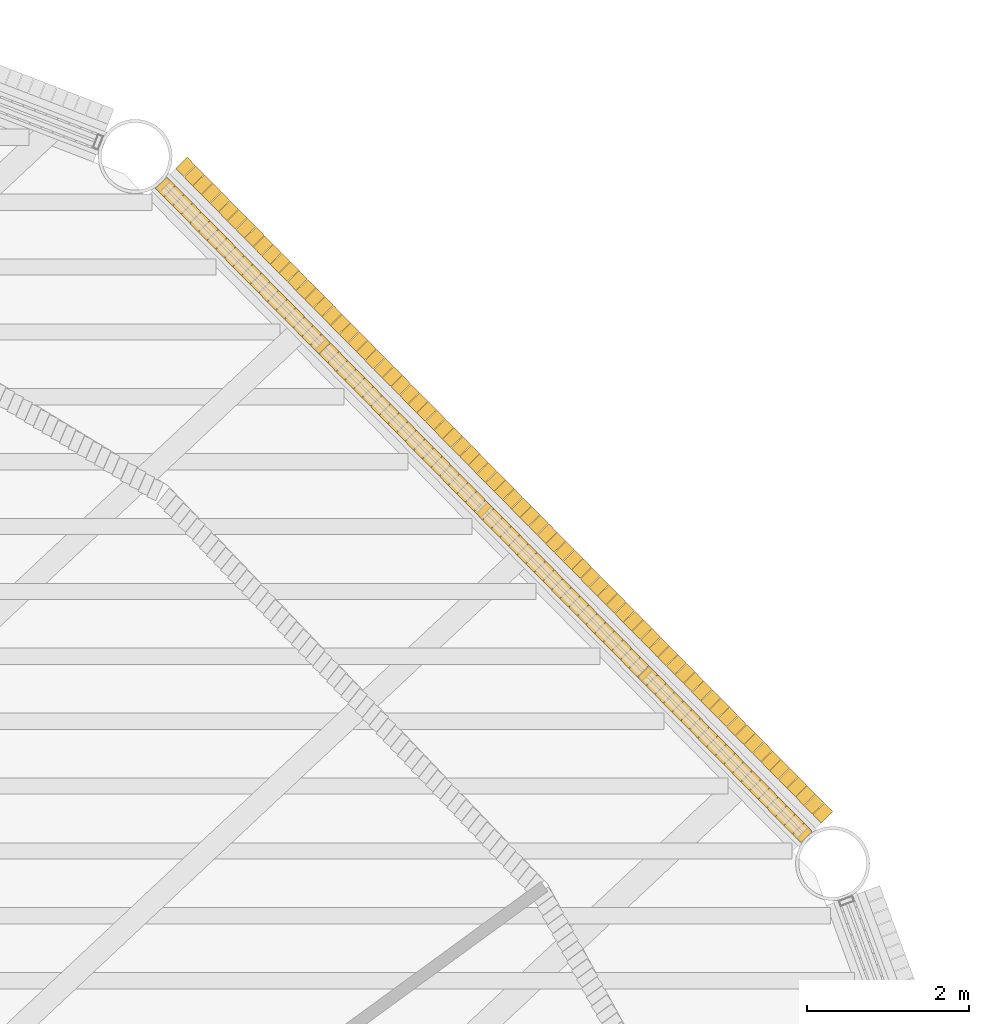
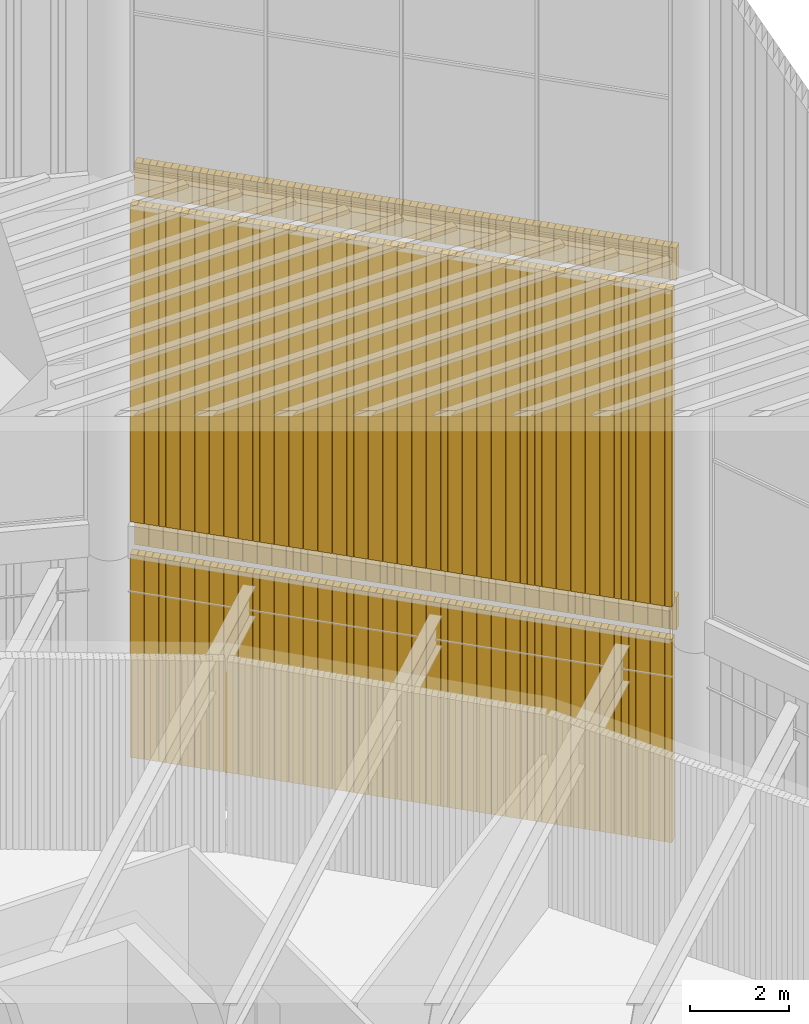
# One storey, part 115 of 117: 4 coverings.
"""IFC4 building model written with IfcOpenShell, lengths in metres."""

from ifc_helpers import new_model, si_unit, direction, frame, frame_2d, origin, place, context, subcontext, project, spatial, rectangle, composite_profile, extrude, material, type_object, element, save


model = new_model("IFC4")

# Units and contexts
model_context = context("Model", 3, precision=1e-05, world=origin(), true_north=direction((0.0, 1.0)))
body_context = subcontext(model_context, "Body", "Model", "MODEL_VIEW")
ifc_project = project(units=[si_unit("LENGTHUNIT", "METRE"), si_unit("AREAUNIT", "SQUARE_METRE"), si_unit("VOLUMEUNIT", "CUBIC_METRE"), si_unit("PLANEANGLEUNIT", "RADIAN"), si_unit("MASSUNIT", "GRAM", prefix="KILO")], contexts=[model_context])

# Site, building, storey
site_placement = place(None, origin())
site = spatial("IfcSite", under=ifc_project, at=site_placement, CompositionType="ELEMENT")
building_placement = place(site_placement, origin())
building = spatial("IfcBuilding", under=site, at=building_placement, Name="Tarsis Ring Headquarters", CompositionType="ELEMENT")
storey_placement = place(building_placement, frame((0.0, 0.0, 403.60009765625)))
storey = spatial("IfcBuildingStorey", under=building, at=storey_placement, Name="L95", CompositionType="ELEMENT", Elevation=403.60009765625)

# Coverings
ifc_material = material(Name="Terracotta louvre", Category="masonry")
covering_type = type_object("IfcCoveringType", Name="Crown louvre fin", PredefinedType="CLADDING", material=ifc_material)
covering_1_placement = place(storey_placement, frame((24.196044921875, 15.9052734375, 0.0), z_axis=(0.0, 0.0, 1.0), x_axis=(-0.702227104334, 0.711941070044, 0.0)))
element("IfcCovering", 1, at=covering_1_placement, inside=storey, type_object=covering_type, Name="Crown louvre base 8", PredefinedType="CLADDING", context=body_context, shape_type="SweptSolid", body=[
    extrude(composite_profile([rectangle(XDim=0.14501953125, YDim=0.199951171875, at=frame_2d((0.072509765625, 0.0))), rectangle(XDim=0.14501953125, YDim=0.199951171875, at=frame_2d((0.2236328125, 0.0))), rectangle(XDim=0.14501953125, YDim=0.199951171875, at=frame_2d((0.375, 0.0))), rectangle(XDim=0.14501953125, YDim=0.199951171875, at=frame_2d((0.526123046875, 0.0))), rectangle(XDim=0.14501953125, YDim=0.199951171875, at=frame_2d((0.677490234375, 0.0))), rectangle(XDim=0.14501953125, YDim=0.199951171875, at=frame_2d((0.82861328125, 0.0))), rectangle(XDim=0.14501953125, YDim=0.199951171875, at=frame_2d((0.979736328125, 0.0))), rectangle(XDim=0.14501953125, YDim=0.199951171875, at=frame_2d((1.131103515625, 0.0))), rectangle(XDim=0.14501953125, YDim=0.199951171875, at=frame_2d((1.2822265625, 0.0))), rectangle(XDim=0.14501953125, YDim=0.199951171875, at=frame_2d((1.433349609375, 0.0))), rectangle(XDim=0.14501953125, YDim=0.199951171875, at=frame_2d((1.584716796875, 0.0))), rectangle(XDim=0.14501953125, YDim=0.199951171875, at=frame_2d((1.73583984375, 0.0))), rectangle(XDim=0.14501953125, YDim=0.199951171875, at=frame_2d((1.88720703125, 0.0))), rectangle(XDim=0.14501953125, YDim=0.199951171875, at=frame_2d((2.038330078125, 0.0))), rectangle(XDim=0.14501953125, YDim=0.199951171875, at=frame_2d((2.189453125, 0.0))), rectangle(XDim=0.14501953125, YDim=0.199951171875, at=frame_2d((2.3408203125, 0.0))), rectangle(XDim=0.14501953125, YDim=0.199951171875, at=frame_2d((2.491943359375, 0.0))), rectangle(XDim=0.14501953125, YDim=0.199951171875, at=frame_2d((2.64306640625, 0.0))), rectangle(XDim=0.14501953125, YDim=0.199951171875, at=frame_2d((2.79443359375, 0.0))), rectangle(XDim=0.14501953125, YDim=0.199951171875, at=frame_2d((2.945556640625, 0.0))), rectangle(XDim=0.14501953125, YDim=0.199951171875, at=frame_2d((3.096923828125, 0.0))), rectangle(XDim=0.14501953125, YDim=0.199951171875, at=frame_2d((3.248046875, 0.0))), rectangle(XDim=0.14501953125, YDim=0.199951171875, at=frame_2d((3.399169921875, 0.0))), rectangle(XDim=0.14501953125, YDim=0.199951171875, at=frame_2d((3.550537109375, 0.0))), rectangle(XDim=0.14501953125, YDim=0.199951171875, at=frame_2d((3.70166015625, 0.0))), rectangle(XDim=0.14501953125, YDim=0.199951171875, at=frame_2d((3.852783203125, 0.0))), rectangle(XDim=0.14501953125, YDim=0.199951171875, at=frame_2d((4.004150390625, 0.0))), rectangle(XDim=0.14501953125, YDim=0.199951171875, at=frame_2d((4.1552734375, 0.0))), rectangle(XDim=0.14501953125, YDim=0.199951171875, at=frame_2d((4.306640625, 0.0))), rectangle(XDim=0.14501953125, YDim=0.199951171875, at=frame_2d((4.457763671875, 0.0))), rectangle(XDim=0.14501953125, YDim=0.199951171875, at=frame_2d((4.60888671875, 0.0))), rectangle(XDim=0.14501953125, YDim=0.199951171875, at=frame_2d((4.76025390625, 0.0))), rectangle(XDim=0.14501953125, YDim=0.199951171875, at=frame_2d((4.911376953125, 0.0))), rectangle(XDim=0.14501953125, YDim=0.199951171875, at=frame_2d((5.0625, 0.0))), rectangle(XDim=0.14501953125, YDim=0.199951171875, at=frame_2d((5.2138671875, 0.0))), rectangle(XDim=0.14501953125, YDim=0.199951171875, at=frame_2d((5.364990234375, 0.0))), rectangle(XDim=0.14501953125, YDim=0.199951171875, at=frame_2d((5.516357421875, 0.0))), rectangle(XDim=0.14501953125, YDim=0.199951171875, at=frame_2d((5.66748046875, 0.0))), rectangle(XDim=0.14501953125, YDim=0.199951171875, at=frame_2d((5.818603515625, 0.0))), rectangle(XDim=0.14501953125, YDim=0.199951171875, at=frame_2d((5.969970703125, 0.0))), rectangle(XDim=0.14501953125, YDim=0.199951171875, at=frame_2d((6.12109375, 0.0))), rectangle(XDim=0.14501953125, YDim=0.199951171875, at=frame_2d((6.2724609375, 0.0))), rectangle(XDim=0.14501953125, YDim=0.199951171875, at=frame_2d((6.423583984375, 0.0))), rectangle(XDim=0.14501953125, YDim=0.199951171875, at=frame_2d((6.57470703125, 0.0))), rectangle(XDim=0.14501953125, YDim=0.199951171875, at=frame_2d((6.72607421875, 0.0))), rectangle(XDim=0.14501953125, YDim=0.199951171875, at=frame_2d((6.877197265625, 0.0))), rectangle(XDim=0.14501953125, YDim=0.199951171875, at=frame_2d((7.0283203125, 0.0))), rectangle(XDim=0.14501953125, YDim=0.199951171875, at=frame_2d((7.1796875, 0.0))), rectangle(XDim=0.14501953125, YDim=0.199951171875, at=frame_2d((7.330810546875, 0.0))), rectangle(XDim=0.14501953125, YDim=0.199951171875, at=frame_2d((7.482177734375, 0.0))), rectangle(XDim=0.14501953125, YDim=0.199951171875, at=frame_2d((7.63330078125, 0.0))), rectangle(XDim=0.14501953125, YDim=0.199951171875, at=frame_2d((7.784423828125, 0.0))), rectangle(XDim=0.14501953125, YDim=0.199951171875, at=frame_2d((7.935791015625, 0.0))), rectangle(XDim=0.14501953125, YDim=0.199951171875, at=frame_2d((8.0869140625, 0.0))), rectangle(XDim=0.14501953125, YDim=0.199951171875, at=frame_2d((8.238037109375, 0.0))), rectangle(XDim=0.14501953125, YDim=0.199951171875, at=frame_2d((8.389404296875, 0.0))), rectangle(XDim=0.14501953125, YDim=0.199951171875, at=frame_2d((8.54052734375, 0.0))), rectangle(XDim=0.14501953125, YDim=0.199951171875, at=frame_2d((8.69189453125, 0.0))), rectangle(XDim=0.14501953125, YDim=0.199951171875, at=frame_2d((8.843017578125, 0.0))), rectangle(XDim=0.14501953125, YDim=0.199951171875, at=frame_2d((8.994140625, 0.0))), rectangle(XDim=0.14501953125, YDim=0.199951171875, at=frame_2d((9.1455078125, 0.0))), rectangle(XDim=0.14501953125, YDim=0.199951171875, at=frame_2d((9.296630859375, 0.0))), rectangle(XDim=0.14501953125, YDim=0.199951171875, at=frame_2d((9.44775390625, 0.0))), rectangle(XDim=0.14501953125, YDim=0.199951171875, at=frame_2d((9.59912109375, 0.0))), rectangle(XDim=0.14501953125, YDim=0.199951171875, at=frame_2d((9.750244140625, 0.0))), rectangle(XDim=0.14501953125, YDim=0.199951171875, at=frame_2d((9.901611328125, 0.0))), rectangle(XDim=0.14501953125, YDim=0.199951171875, at=frame_2d((10.052734375, 0.0))), rectangle(XDim=0.14501953125, YDim=0.199951171875, at=frame_2d((10.203857421875, 0.0))), rectangle(XDim=0.14501953125, YDim=0.199951171875, at=frame_2d((10.355224609375, 0.0))), rectangle(XDim=0.14501953125, YDim=0.199951171875, at=frame_2d((10.50634765625, 0.0))), rectangle(XDim=0.14501953125, YDim=0.199951171875, at=frame_2d((10.657470703125, 0.0))), rectangle(XDim=0.14501953125, YDim=0.199951171875, at=frame_2d((10.808837890625, 0.0))), rectangle(XDim=0.14501953125, YDim=0.199951171875, at=frame_2d((10.9599609375, 0.0))), rectangle(XDim=0.14501953125, YDim=0.199951171875, at=frame_2d((11.111328125, 0.0))), rectangle(XDim=0.14501953125, YDim=0.199951171875, at=frame_2d((11.262451171875, 0.0)))]), origin(), (0.0, 0.0, 1.0), 5.0),
])
covering_2_placement = place(storey_placement, frame((24.4453125, 16.151123046875, 5.0), z_axis=(0.0, 0.0, 1.0), x_axis=(-0.702227104334, 0.711941070044, 0.0)))
element("IfcCovering", 2, at=covering_2_placement, inside=storey, type_object=covering_type, Name="Crown louvre fascia R8", PredefinedType="CLADDING", context=body_context, shape_type="SweptSolid", body=[
    extrude(composite_profile([rectangle(XDim=0.14501953125, YDim=0.199951171875, at=frame_2d((0.072509765625, 0.0))), rectangle(XDim=0.14501953125, YDim=0.199951171875, at=frame_2d((0.2236328125, 0.0))), rectangle(XDim=0.14501953125, YDim=0.199951171875, at=frame_2d((0.375, 0.0))), rectangle(XDim=0.14501953125, YDim=0.199951171875, at=frame_2d((0.526123046875, 0.0))), rectangle(XDim=0.14501953125, YDim=0.199951171875, at=frame_2d((0.677490234375, 0.0))), rectangle(XDim=0.14501953125, YDim=0.199951171875, at=frame_2d((0.82861328125, 0.0))), rectangle(XDim=0.14501953125, YDim=0.199951171875, at=frame_2d((0.979736328125, 0.0))), rectangle(XDim=0.14501953125, YDim=0.199951171875, at=frame_2d((1.131103515625, 0.0))), rectangle(XDim=0.14501953125, YDim=0.199951171875, at=frame_2d((1.2822265625, 0.0))), rectangle(XDim=0.14501953125, YDim=0.199951171875, at=frame_2d((1.433349609375, 0.0))), rectangle(XDim=0.14501953125, YDim=0.199951171875, at=frame_2d((1.584716796875, 0.0))), rectangle(XDim=0.14501953125, YDim=0.199951171875, at=frame_2d((1.73583984375, 0.0))), rectangle(XDim=0.14501953125, YDim=0.199951171875, at=frame_2d((1.88720703125, 0.0))), rectangle(XDim=0.14501953125, YDim=0.199951171875, at=frame_2d((2.038330078125, 0.0))), rectangle(XDim=0.14501953125, YDim=0.199951171875, at=frame_2d((2.189453125, 0.0))), rectangle(XDim=0.14501953125, YDim=0.199951171875, at=frame_2d((2.3408203125, 0.0))), rectangle(XDim=0.14501953125, YDim=0.199951171875, at=frame_2d((2.491943359375, 0.0))), rectangle(XDim=0.14501953125, YDim=0.199951171875, at=frame_2d((2.64306640625, 0.0))), rectangle(XDim=0.14501953125, YDim=0.199951171875, at=frame_2d((2.79443359375, 0.0))), rectangle(XDim=0.14501953125, YDim=0.199951171875, at=frame_2d((2.945556640625, 0.0))), rectangle(XDim=0.14501953125, YDim=0.199951171875, at=frame_2d((3.096923828125, 0.0))), rectangle(XDim=0.14501953125, YDim=0.199951171875, at=frame_2d((3.248046875, 0.0))), rectangle(XDim=0.14501953125, YDim=0.199951171875, at=frame_2d((3.399169921875, 0.0))), rectangle(XDim=0.14501953125, YDim=0.199951171875, at=frame_2d((3.550537109375, 0.0))), rectangle(XDim=0.14501953125, YDim=0.199951171875, at=frame_2d((3.70166015625, 0.0))), rectangle(XDim=0.14501953125, YDim=0.199951171875, at=frame_2d((3.852783203125, 0.0))), rectangle(XDim=0.14501953125, YDim=0.199951171875, at=frame_2d((4.004150390625, 0.0))), rectangle(XDim=0.14501953125, YDim=0.199951171875, at=frame_2d((4.1552734375, 0.0))), rectangle(XDim=0.14501953125, YDim=0.199951171875, at=frame_2d((4.306640625, 0.0))), rectangle(XDim=0.14501953125, YDim=0.199951171875, at=frame_2d((4.457763671875, 0.0))), rectangle(XDim=0.14501953125, YDim=0.199951171875, at=frame_2d((4.60888671875, 0.0))), rectangle(XDim=0.14501953125, YDim=0.199951171875, at=frame_2d((4.76025390625, 0.0))), rectangle(XDim=0.14501953125, YDim=0.199951171875, at=frame_2d((4.911376953125, 0.0))), rectangle(XDim=0.14501953125, YDim=0.199951171875, at=frame_2d((5.0625, 0.0))), rectangle(XDim=0.14501953125, YDim=0.199951171875, at=frame_2d((5.2138671875, 0.0))), rectangle(XDim=0.14501953125, YDim=0.199951171875, at=frame_2d((5.364990234375, 0.0))), rectangle(XDim=0.14501953125, YDim=0.199951171875, at=frame_2d((5.516357421875, 0.0))), rectangle(XDim=0.14501953125, YDim=0.199951171875, at=frame_2d((5.66748046875, 0.0))), rectangle(XDim=0.14501953125, YDim=0.199951171875, at=frame_2d((5.818603515625, 0.0))), rectangle(XDim=0.14501953125, YDim=0.199951171875, at=frame_2d((5.969970703125, 0.0))), rectangle(XDim=0.14501953125, YDim=0.199951171875, at=frame_2d((6.12109375, 0.0))), rectangle(XDim=0.14501953125, YDim=0.199951171875, at=frame_2d((6.2724609375, 0.0))), rectangle(XDim=0.14501953125, YDim=0.199951171875, at=frame_2d((6.423583984375, 0.0))), rectangle(XDim=0.14501953125, YDim=0.199951171875, at=frame_2d((6.57470703125, 0.0))), rectangle(XDim=0.14501953125, YDim=0.199951171875, at=frame_2d((6.72607421875, 0.0))), rectangle(XDim=0.14501953125, YDim=0.199951171875, at=frame_2d((6.877197265625, 0.0))), rectangle(XDim=0.14501953125, YDim=0.199951171875, at=frame_2d((7.0283203125, 0.0))), rectangle(XDim=0.14501953125, YDim=0.199951171875, at=frame_2d((7.1796875, 0.0))), rectangle(XDim=0.14501953125, YDim=0.199951171875, at=frame_2d((7.330810546875, 0.0))), rectangle(XDim=0.14501953125, YDim=0.199951171875, at=frame_2d((7.482177734375, 0.0))), rectangle(XDim=0.14501953125, YDim=0.199951171875, at=frame_2d((7.63330078125, 0.0))), rectangle(XDim=0.14501953125, YDim=0.199951171875, at=frame_2d((7.784423828125, 0.0))), rectangle(XDim=0.14501953125, YDim=0.199951171875, at=frame_2d((7.935791015625, 0.0))), rectangle(XDim=0.14501953125, YDim=0.199951171875, at=frame_2d((8.0869140625, 0.0))), rectangle(XDim=0.14501953125, YDim=0.199951171875, at=frame_2d((8.238037109375, 0.0))), rectangle(XDim=0.14501953125, YDim=0.199951171875, at=frame_2d((8.389404296875, 0.0))), rectangle(XDim=0.14501953125, YDim=0.199951171875, at=frame_2d((8.54052734375, 0.0))), rectangle(XDim=0.14501953125, YDim=0.199951171875, at=frame_2d((8.69189453125, 0.0))), rectangle(XDim=0.14501953125, YDim=0.199951171875, at=frame_2d((8.843017578125, 0.0))), rectangle(XDim=0.14501953125, YDim=0.199951171875, at=frame_2d((8.994140625, 0.0))), rectangle(XDim=0.14501953125, YDim=0.199951171875, at=frame_2d((9.1455078125, 0.0))), rectangle(XDim=0.14501953125, YDim=0.199951171875, at=frame_2d((9.296630859375, 0.0))), rectangle(XDim=0.14501953125, YDim=0.199951171875, at=frame_2d((9.44775390625, 0.0))), rectangle(XDim=0.14501953125, YDim=0.199951171875, at=frame_2d((9.59912109375, 0.0))), rectangle(XDim=0.14501953125, YDim=0.199951171875, at=frame_2d((9.750244140625, 0.0))), rectangle(XDim=0.14501953125, YDim=0.199951171875, at=frame_2d((9.901611328125, 0.0))), rectangle(XDim=0.14501953125, YDim=0.199951171875, at=frame_2d((10.052734375, 0.0))), rectangle(XDim=0.14501953125, YDim=0.199951171875, at=frame_2d((10.203857421875, 0.0))), rectangle(XDim=0.14501953125, YDim=0.199951171875, at=frame_2d((10.355224609375, 0.0))), rectangle(XDim=0.14501953125, YDim=0.199951171875, at=frame_2d((10.50634765625, 0.0))), rectangle(XDim=0.14501953125, YDim=0.199951171875, at=frame_2d((10.657470703125, 0.0))), rectangle(XDim=0.14501953125, YDim=0.199951171875, at=frame_2d((10.808837890625, 0.0))), rectangle(XDim=0.14501953125, YDim=0.199951171875, at=frame_2d((10.9599609375, 0.0))), rectangle(XDim=0.14501953125, YDim=0.199951171875, at=frame_2d((11.111328125, 0.0))), rectangle(XDim=0.14501953125, YDim=0.199951171875, at=frame_2d((11.262451171875, 0.0)))]), origin(), (0.0, 0.0, 1.0), 0.7998046875),
])
covering_3_placement = place(storey_placement, frame((24.4453125, 16.151123046875, 13.599853515625), z_axis=(0.0, 0.0, 1.0), x_axis=(-0.702227104334, 0.711941070044, 0.0)))
element("IfcCovering", 3, at=covering_3_placement, inside=storey, type_object=covering_type, Name="Crown louvre fascia M8", PredefinedType="CLADDING", context=body_context, shape_type="SweptSolid", body=[
    extrude(composite_profile([rectangle(XDim=0.14501953125, YDim=0.199951171875, at=frame_2d((0.072509765625, 0.0))), rectangle(XDim=0.14501953125, YDim=0.199951171875, at=frame_2d((0.2236328125, 0.0))), rectangle(XDim=0.14501953125, YDim=0.199951171875, at=frame_2d((0.375, 0.0))), rectangle(XDim=0.14501953125, YDim=0.199951171875, at=frame_2d((0.526123046875, 0.0))), rectangle(XDim=0.14501953125, YDim=0.199951171875, at=frame_2d((0.677490234375, 0.0))), rectangle(XDim=0.14501953125, YDim=0.199951171875, at=frame_2d((0.82861328125, 0.0))), rectangle(XDim=0.14501953125, YDim=0.199951171875, at=frame_2d((0.979736328125, 0.0))), rectangle(XDim=0.14501953125, YDim=0.199951171875, at=frame_2d((1.131103515625, 0.0))), rectangle(XDim=0.14501953125, YDim=0.199951171875, at=frame_2d((1.2822265625, 0.0))), rectangle(XDim=0.14501953125, YDim=0.199951171875, at=frame_2d((1.433349609375, 0.0))), rectangle(XDim=0.14501953125, YDim=0.199951171875, at=frame_2d((1.584716796875, 0.0))), rectangle(XDim=0.14501953125, YDim=0.199951171875, at=frame_2d((1.73583984375, 0.0))), rectangle(XDim=0.14501953125, YDim=0.199951171875, at=frame_2d((1.88720703125, 0.0))), rectangle(XDim=0.14501953125, YDim=0.199951171875, at=frame_2d((2.038330078125, 0.0))), rectangle(XDim=0.14501953125, YDim=0.199951171875, at=frame_2d((2.189453125, 0.0))), rectangle(XDim=0.14501953125, YDim=0.199951171875, at=frame_2d((2.3408203125, 0.0))), rectangle(XDim=0.14501953125, YDim=0.199951171875, at=frame_2d((2.491943359375, 0.0))), rectangle(XDim=0.14501953125, YDim=0.199951171875, at=frame_2d((2.64306640625, 0.0))), rectangle(XDim=0.14501953125, YDim=0.199951171875, at=frame_2d((2.79443359375, 0.0))), rectangle(XDim=0.14501953125, YDim=0.199951171875, at=frame_2d((2.945556640625, 0.0))), rectangle(XDim=0.14501953125, YDim=0.199951171875, at=frame_2d((3.096923828125, 0.0))), rectangle(XDim=0.14501953125, YDim=0.199951171875, at=frame_2d((3.248046875, 0.0))), rectangle(XDim=0.14501953125, YDim=0.199951171875, at=frame_2d((3.399169921875, 0.0))), rectangle(XDim=0.14501953125, YDim=0.199951171875, at=frame_2d((3.550537109375, 0.0))), rectangle(XDim=0.14501953125, YDim=0.199951171875, at=frame_2d((3.70166015625, 0.0))), rectangle(XDim=0.14501953125, YDim=0.199951171875, at=frame_2d((3.852783203125, 0.0))), rectangle(XDim=0.14501953125, YDim=0.199951171875, at=frame_2d((4.004150390625, 0.0))), rectangle(XDim=0.14501953125, YDim=0.199951171875, at=frame_2d((4.1552734375, 0.0))), rectangle(XDim=0.14501953125, YDim=0.199951171875, at=frame_2d((4.306640625, 0.0))), rectangle(XDim=0.14501953125, YDim=0.199951171875, at=frame_2d((4.457763671875, 0.0))), rectangle(XDim=0.14501953125, YDim=0.199951171875, at=frame_2d((4.60888671875, 0.0))), rectangle(XDim=0.14501953125, YDim=0.199951171875, at=frame_2d((4.76025390625, 0.0))), rectangle(XDim=0.14501953125, YDim=0.199951171875, at=frame_2d((4.911376953125, 0.0))), rectangle(XDim=0.14501953125, YDim=0.199951171875, at=frame_2d((5.0625, 0.0))), rectangle(XDim=0.14501953125, YDim=0.199951171875, at=frame_2d((5.2138671875, 0.0))), rectangle(XDim=0.14501953125, YDim=0.199951171875, at=frame_2d((5.364990234375, 0.0))), rectangle(XDim=0.14501953125, YDim=0.199951171875, at=frame_2d((5.516357421875, 0.0))), rectangle(XDim=0.14501953125, YDim=0.199951171875, at=frame_2d((5.66748046875, 0.0))), rectangle(XDim=0.14501953125, YDim=0.199951171875, at=frame_2d((5.818603515625, 0.0))), rectangle(XDim=0.14501953125, YDim=0.199951171875, at=frame_2d((5.969970703125, 0.0))), rectangle(XDim=0.14501953125, YDim=0.199951171875, at=frame_2d((6.12109375, 0.0))), rectangle(XDim=0.14501953125, YDim=0.199951171875, at=frame_2d((6.2724609375, 0.0))), rectangle(XDim=0.14501953125, YDim=0.199951171875, at=frame_2d((6.423583984375, 0.0))), rectangle(XDim=0.14501953125, YDim=0.199951171875, at=frame_2d((6.57470703125, 0.0))), rectangle(XDim=0.14501953125, YDim=0.199951171875, at=frame_2d((6.72607421875, 0.0))), rectangle(XDim=0.14501953125, YDim=0.199951171875, at=frame_2d((6.877197265625, 0.0))), rectangle(XDim=0.14501953125, YDim=0.199951171875, at=frame_2d((7.0283203125, 0.0))), rectangle(XDim=0.14501953125, YDim=0.199951171875, at=frame_2d((7.1796875, 0.0))), rectangle(XDim=0.14501953125, YDim=0.199951171875, at=frame_2d((7.330810546875, 0.0))), rectangle(XDim=0.14501953125, YDim=0.199951171875, at=frame_2d((7.482177734375, 0.0))), rectangle(XDim=0.14501953125, YDim=0.199951171875, at=frame_2d((7.63330078125, 0.0))), rectangle(XDim=0.14501953125, YDim=0.199951171875, at=frame_2d((7.784423828125, 0.0))), rectangle(XDim=0.14501953125, YDim=0.199951171875, at=frame_2d((7.935791015625, 0.0))), rectangle(XDim=0.14501953125, YDim=0.199951171875, at=frame_2d((8.0869140625, 0.0))), rectangle(XDim=0.14501953125, YDim=0.199951171875, at=frame_2d((8.238037109375, 0.0))), rectangle(XDim=0.14501953125, YDim=0.199951171875, at=frame_2d((8.389404296875, 0.0))), rectangle(XDim=0.14501953125, YDim=0.199951171875, at=frame_2d((8.54052734375, 0.0))), rectangle(XDim=0.14501953125, YDim=0.199951171875, at=frame_2d((8.69189453125, 0.0))), rectangle(XDim=0.14501953125, YDim=0.199951171875, at=frame_2d((8.843017578125, 0.0))), rectangle(XDim=0.14501953125, YDim=0.199951171875, at=frame_2d((8.994140625, 0.0))), rectangle(XDim=0.14501953125, YDim=0.199951171875, at=frame_2d((9.1455078125, 0.0))), rectangle(XDim=0.14501953125, YDim=0.199951171875, at=frame_2d((9.296630859375, 0.0))), rectangle(XDim=0.14501953125, YDim=0.199951171875, at=frame_2d((9.44775390625, 0.0))), rectangle(XDim=0.14501953125, YDim=0.199951171875, at=frame_2d((9.59912109375, 0.0))), rectangle(XDim=0.14501953125, YDim=0.199951171875, at=frame_2d((9.750244140625, 0.0))), rectangle(XDim=0.14501953125, YDim=0.199951171875, at=frame_2d((9.901611328125, 0.0))), rectangle(XDim=0.14501953125, YDim=0.199951171875, at=frame_2d((10.052734375, 0.0))), rectangle(XDim=0.14501953125, YDim=0.199951171875, at=frame_2d((10.203857421875, 0.0))), rectangle(XDim=0.14501953125, YDim=0.199951171875, at=frame_2d((10.355224609375, 0.0))), rectangle(XDim=0.14501953125, YDim=0.199951171875, at=frame_2d((10.50634765625, 0.0))), rectangle(XDim=0.14501953125, YDim=0.199951171875, at=frame_2d((10.657470703125, 0.0))), rectangle(XDim=0.14501953125, YDim=0.199951171875, at=frame_2d((10.808837890625, 0.0))), rectangle(XDim=0.14501953125, YDim=0.199951171875, at=frame_2d((10.9599609375, 0.0))), rectangle(XDim=0.14501953125, YDim=0.199951171875, at=frame_2d((11.111328125, 0.0))), rectangle(XDim=0.14501953125, YDim=0.199951171875, at=frame_2d((11.262451171875, 0.0)))]), origin(), (0.0, 0.0, 1.0), 0.800048828125),
])
covering_4_placement = place(storey_placement, frame((24.196044921875, 15.9052734375, 5.7998046875), z_axis=(0.0, 0.0, 1.0), x_axis=(-0.702227104334, 0.711941070044, 0.0)))
element("IfcCovering", 4, at=covering_4_placement, inside=storey, type_object=covering_type, Name="Crown louvre L8", PredefinedType="CLADDING", context=body_context, shape_type="SweptSolid", body=[
    extrude(composite_profile([rectangle(XDim=0.14501953125, YDim=0.199951171875, at=frame_2d((0.072509765625, 0.0))), rectangle(XDim=0.14501953125, YDim=0.199951171875, at=frame_2d((0.2236328125, 0.0))), rectangle(XDim=0.14501953125, YDim=0.199951171875, at=frame_2d((0.375, 0.0))), rectangle(XDim=0.14501953125, YDim=0.199951171875, at=frame_2d((0.526123046875, 0.0))), rectangle(XDim=0.14501953125, YDim=0.199951171875, at=frame_2d((0.677490234375, 0.0))), rectangle(XDim=0.14501953125, YDim=0.199951171875, at=frame_2d((0.82861328125, 0.0))), rectangle(XDim=0.14501953125, YDim=0.199951171875, at=frame_2d((0.979736328125, 0.0))), rectangle(XDim=0.14501953125, YDim=0.199951171875, at=frame_2d((1.131103515625, 0.0))), rectangle(XDim=0.14501953125, YDim=0.199951171875, at=frame_2d((1.2822265625, 0.0))), rectangle(XDim=0.14501953125, YDim=0.199951171875, at=frame_2d((1.433349609375, 0.0))), rectangle(XDim=0.14501953125, YDim=0.199951171875, at=frame_2d((1.584716796875, 0.0))), rectangle(XDim=0.14501953125, YDim=0.199951171875, at=frame_2d((1.73583984375, 0.0))), rectangle(XDim=0.14501953125, YDim=0.199951171875, at=frame_2d((1.88720703125, 0.0))), rectangle(XDim=0.14501953125, YDim=0.199951171875, at=frame_2d((2.038330078125, 0.0))), rectangle(XDim=0.14501953125, YDim=0.199951171875, at=frame_2d((2.189453125, 0.0))), rectangle(XDim=0.14501953125, YDim=0.199951171875, at=frame_2d((2.3408203125, 0.0))), rectangle(XDim=0.14501953125, YDim=0.199951171875, at=frame_2d((2.491943359375, 0.0))), rectangle(XDim=0.14501953125, YDim=0.199951171875, at=frame_2d((2.64306640625, 0.0))), rectangle(XDim=0.14501953125, YDim=0.199951171875, at=frame_2d((2.79443359375, 0.0))), rectangle(XDim=0.14501953125, YDim=0.199951171875, at=frame_2d((2.945556640625, 0.0))), rectangle(XDim=0.14501953125, YDim=0.199951171875, at=frame_2d((3.096923828125, 0.0))), rectangle(XDim=0.14501953125, YDim=0.199951171875, at=frame_2d((3.248046875, 0.0))), rectangle(XDim=0.14501953125, YDim=0.199951171875, at=frame_2d((3.399169921875, 0.0))), rectangle(XDim=0.14501953125, YDim=0.199951171875, at=frame_2d((3.550537109375, 0.0))), rectangle(XDim=0.14501953125, YDim=0.199951171875, at=frame_2d((3.70166015625, 0.0))), rectangle(XDim=0.14501953125, YDim=0.199951171875, at=frame_2d((3.852783203125, 0.0))), rectangle(XDim=0.14501953125, YDim=0.199951171875, at=frame_2d((4.004150390625, 0.0))), rectangle(XDim=0.14501953125, YDim=0.199951171875, at=frame_2d((4.1552734375, 0.0))), rectangle(XDim=0.14501953125, YDim=0.199951171875, at=frame_2d((4.306640625, 0.0))), rectangle(XDim=0.14501953125, YDim=0.199951171875, at=frame_2d((4.457763671875, 0.0))), rectangle(XDim=0.14501953125, YDim=0.199951171875, at=frame_2d((4.60888671875, 0.0))), rectangle(XDim=0.14501953125, YDim=0.199951171875, at=frame_2d((4.76025390625, 0.0))), rectangle(XDim=0.14501953125, YDim=0.199951171875, at=frame_2d((4.911376953125, 0.0))), rectangle(XDim=0.14501953125, YDim=0.199951171875, at=frame_2d((5.0625, 0.0))), rectangle(XDim=0.14501953125, YDim=0.199951171875, at=frame_2d((5.2138671875, 0.0))), rectangle(XDim=0.14501953125, YDim=0.199951171875, at=frame_2d((5.364990234375, 0.0))), rectangle(XDim=0.14501953125, YDim=0.199951171875, at=frame_2d((5.516357421875, 0.0))), rectangle(XDim=0.14501953125, YDim=0.199951171875, at=frame_2d((5.66748046875, 0.0))), rectangle(XDim=0.14501953125, YDim=0.199951171875, at=frame_2d((5.818603515625, 0.0))), rectangle(XDim=0.14501953125, YDim=0.199951171875, at=frame_2d((5.969970703125, 0.0))), rectangle(XDim=0.14501953125, YDim=0.199951171875, at=frame_2d((6.12109375, 0.0))), rectangle(XDim=0.14501953125, YDim=0.199951171875, at=frame_2d((6.2724609375, 0.0))), rectangle(XDim=0.14501953125, YDim=0.199951171875, at=frame_2d((6.423583984375, 0.0))), rectangle(XDim=0.14501953125, YDim=0.199951171875, at=frame_2d((6.57470703125, 0.0))), rectangle(XDim=0.14501953125, YDim=0.199951171875, at=frame_2d((6.72607421875, 0.0))), rectangle(XDim=0.14501953125, YDim=0.199951171875, at=frame_2d((6.877197265625, 0.0))), rectangle(XDim=0.14501953125, YDim=0.199951171875, at=frame_2d((7.0283203125, 0.0))), rectangle(XDim=0.14501953125, YDim=0.199951171875, at=frame_2d((7.1796875, 0.0))), rectangle(XDim=0.14501953125, YDim=0.199951171875, at=frame_2d((7.330810546875, 0.0))), rectangle(XDim=0.14501953125, YDim=0.199951171875, at=frame_2d((7.482177734375, 0.0))), rectangle(XDim=0.14501953125, YDim=0.199951171875, at=frame_2d((7.63330078125, 0.0))), rectangle(XDim=0.14501953125, YDim=0.199951171875, at=frame_2d((7.784423828125, 0.0))), rectangle(XDim=0.14501953125, YDim=0.199951171875, at=frame_2d((7.935791015625, 0.0))), rectangle(XDim=0.14501953125, YDim=0.199951171875, at=frame_2d((8.0869140625, 0.0))), rectangle(XDim=0.14501953125, YDim=0.199951171875, at=frame_2d((8.238037109375, 0.0))), rectangle(XDim=0.14501953125, YDim=0.199951171875, at=frame_2d((8.389404296875, 0.0))), rectangle(XDim=0.14501953125, YDim=0.199951171875, at=frame_2d((8.54052734375, 0.0))), rectangle(XDim=0.14501953125, YDim=0.199951171875, at=frame_2d((8.69189453125, 0.0))), rectangle(XDim=0.14501953125, YDim=0.199951171875, at=frame_2d((8.843017578125, 0.0))), rectangle(XDim=0.14501953125, YDim=0.199951171875, at=frame_2d((8.994140625, 0.0))), rectangle(XDim=0.14501953125, YDim=0.199951171875, at=frame_2d((9.1455078125, 0.0))), rectangle(XDim=0.14501953125, YDim=0.199951171875, at=frame_2d((9.296630859375, 0.0))), rectangle(XDim=0.14501953125, YDim=0.199951171875, at=frame_2d((9.44775390625, 0.0))), rectangle(XDim=0.14501953125, YDim=0.199951171875, at=frame_2d((9.59912109375, 0.0))), rectangle(XDim=0.14501953125, YDim=0.199951171875, at=frame_2d((9.750244140625, 0.0))), rectangle(XDim=0.14501953125, YDim=0.199951171875, at=frame_2d((9.901611328125, 0.0))), rectangle(XDim=0.14501953125, YDim=0.199951171875, at=frame_2d((10.052734375, 0.0))), rectangle(XDim=0.14501953125, YDim=0.199951171875, at=frame_2d((10.203857421875, 0.0))), rectangle(XDim=0.14501953125, YDim=0.199951171875, at=frame_2d((10.355224609375, 0.0))), rectangle(XDim=0.14501953125, YDim=0.199951171875, at=frame_2d((10.50634765625, 0.0))), rectangle(XDim=0.14501953125, YDim=0.199951171875, at=frame_2d((10.657470703125, 0.0))), rectangle(XDim=0.14501953125, YDim=0.199951171875, at=frame_2d((10.808837890625, 0.0))), rectangle(XDim=0.14501953125, YDim=0.199951171875, at=frame_2d((10.9599609375, 0.0))), rectangle(XDim=0.14501953125, YDim=0.199951171875, at=frame_2d((11.111328125, 0.0))), rectangle(XDim=0.14501953125, YDim=0.199951171875, at=frame_2d((11.262451171875, 0.0)))]), origin(), (0.0, 0.0, 1.0), 7.800048828125),
])

save(model, "model.ifc")
